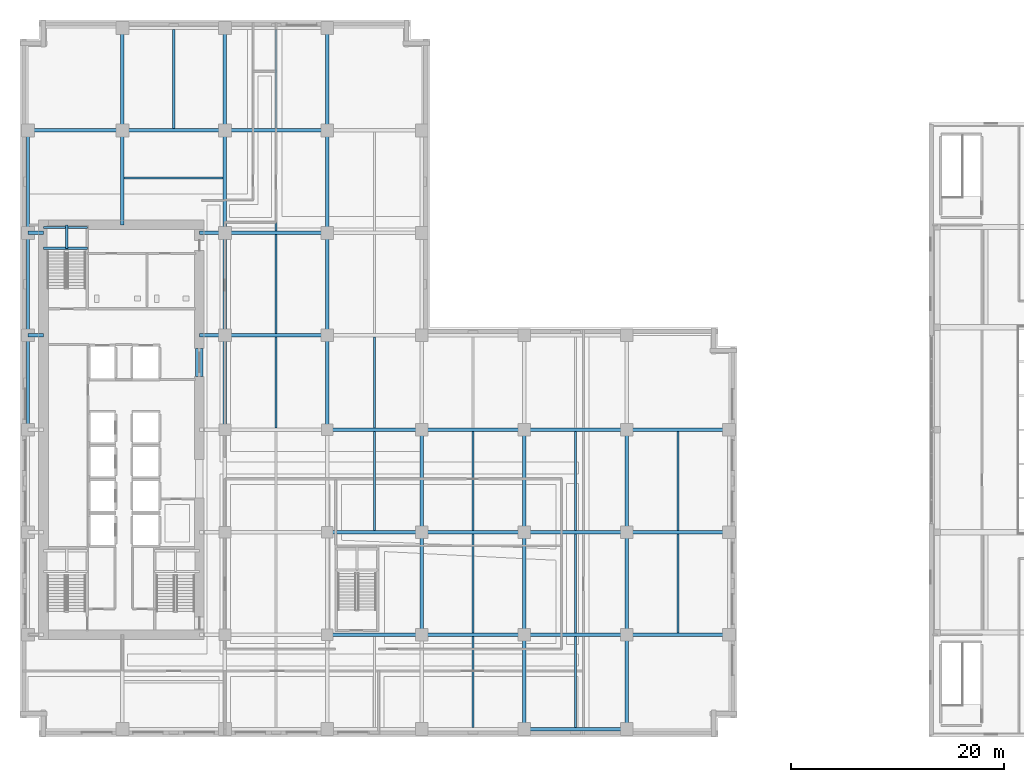
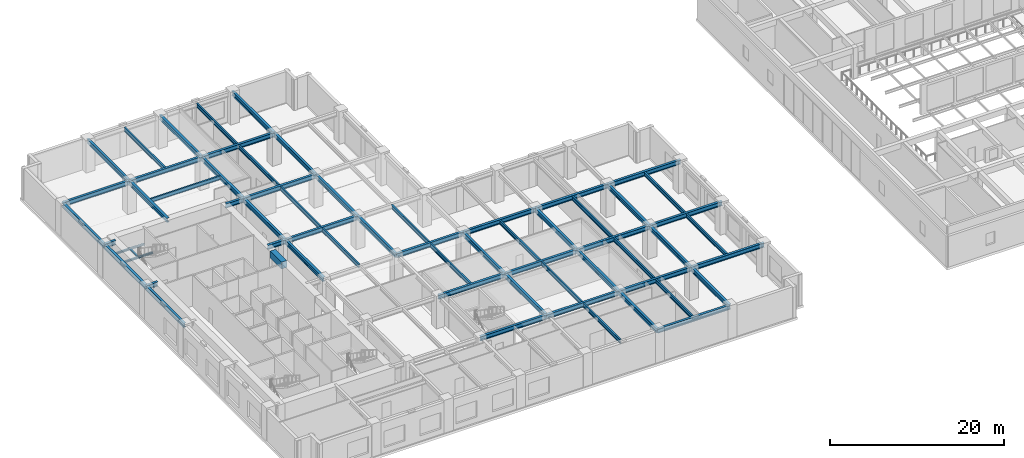
# One storey, part 2 of 21: 63 beams.
"""IFC4 building model written with IfcOpenShell, lengths in metres."""

from ifc_helpers import new_model, si_unit, direction, frame, origin, origin_2d, place, context, subcontext, project, spatial, rectangle, i_section, extrude, material, material_profile, profile_set, type_object, element, save


model = new_model("IFC4")

# Units and contexts
model_context = context("Model", 3, precision=1e-05, world=origin(), true_north=direction((0.0, 1.0)))
body_context = subcontext(model_context, "Body", "Model", "MODEL_VIEW")
ifc_project = project(units=[si_unit("LENGTHUNIT", "METRE"), si_unit("AREAUNIT", "SQUARE_METRE"), si_unit("VOLUMEUNIT", "CUBIC_METRE"), si_unit("PLANEANGLEUNIT", "RADIAN"), si_unit("MASSUNIT", "GRAM", prefix="KILO")], contexts=[model_context])

# Site, building, storey
site_placement = place(None, origin())
site = spatial("IfcSite", under=ifc_project, at=site_placement, CompositionType="ELEMENT")
building_placement = place(site_placement, origin())
building = spatial("IfcBuilding", under=site, at=building_placement, Name="Norrvale University Quadrangle", CompositionType="ELEMENT")
storey_placement = place(building_placement, frame((0.0, 0.0, 19.60009765625)))
storey = spatial("IfcBuildingStorey", under=building, at=storey_placement, Name="L04", CompositionType="ELEMENT", Elevation=19.60009765625)

# Beams
ifc_material_1 = material(Name="Steel 350W", Category="steel")
ifc_material_profile_1 = material_profile(ifc_material_1, i_section(OverallWidth=0.324951171875, OverallDepth=0.615966796875, WebThickness=0.013916015625, FlangeThickness=0.021484375, FilletRadius=0.01611328125, at=origin_2d()), Name="Steel 350W")
ifc_profile_set_1 = profile_set([ifc_material_profile_1], Name="Steel 350W")
beam_type_1 = type_object("IfcBeamType", Name="Beam Belt W610x174", PredefinedType="BEAM", material=ifc_profile_set_1)
beam_1_placement = place(storey_placement, frame((47.25, 0.75, 4.031982421875), z_axis=(1.0, 0.0, 0.0), x_axis=(0.0, 1.0, 0.0)))
element("IfcBeam", 1, at=beam_1_placement, inside=storey, type_object=beam_type_1, Name="Beam Belt W610x174 BM-L04-GX005", PredefinedType="BEAM", context=body_context, shape_type="SweptSolid", body=[
    extrude(i_section(OverallWidth=0.324951171875, OverallDepth=0.615966796875, WebThickness=0.013916015625, FlangeThickness=0.021484375, FilletRadius=0.01611328125, at=origin_2d()), origin(), (0.0, 0.0, 1.0), 9.60009765625),
])
beam_2_placement = place(storey_placement, frame((28.800048828125, 9.60009765625, 4.031982421875), z_axis=(1.0, 0.0, 0.0), x_axis=(0.0, 1.0, 0.0)))
element("IfcBeam", 2, at=beam_2_placement, inside=storey, type_object=beam_type_1, Name="Beam Belt W610x174 BM-L04-GX007", PredefinedType="BEAM", context=body_context, shape_type="SweptSolid", body=[
    extrude(i_section(OverallWidth=0.324951171875, OverallDepth=0.615966796875, WebThickness=0.013916015625, FlangeThickness=0.021484375, FilletRadius=0.01611328125, at=origin_2d()), origin(), (0.0, 0.0, 1.0), 8.849853515625),
])
for number, where, z_axis, x_axis, name in (
    (3, (37.64990234375, 9.60009765625, 4.031982421875), (1.0, 0.0, 0.0), (0.0, 1.0, 0.0), "Beam Belt W610x174 BM-L04-GX008"),
    (4, (47.25, 9.60009765625, 4.031982421875), (1.0, 0.0, 0.0), (0.0, 1.0, 0.0), "Beam Belt W610x174 BM-L04-GX009"),
):
    element("IfcBeam", number, at=place(storey_placement, frame(where, z_axis=z_axis, x_axis=x_axis)), inside=storey, type_object=beam_type_1, Name=name, PredefinedType="BEAM", context=body_context, shape_type="SweptSolid", body=[
        extrude(i_section(OverallWidth=0.324951171875, OverallDepth=0.615966796875, WebThickness=0.013916015625, FlangeThickness=0.021484375, FilletRadius=0.01611328125, at=origin_2d()), origin(), (0.0, 0.0, 1.0), 9.60009765625),
    ])
beam_3_placement = place(storey_placement, frame((56.85009765625, 9.60009765625, 4.031982421875), z_axis=(1.0, 0.0, 0.0), x_axis=(0.0, 1.0, 0.0)))
element("IfcBeam", 5, at=beam_3_placement, inside=storey, type_object=beam_type_1, Name="Beam Belt W610x174 BM-L04-GX010", PredefinedType="BEAM", context=body_context, shape_type="SweptSolid", body=[
    extrude(i_section(OverallWidth=0.324951171875, OverallDepth=0.615966796875, WebThickness=0.013916015625, FlangeThickness=0.021484375, FilletRadius=0.01611328125, at=origin_2d()), origin(), (0.0, 0.0, 1.0), 9.599853515625),
])
beam_4_placement = place(storey_placement, frame((28.800048828125, 19.199951171875, 4.031982421875), z_axis=(1.0, 0.0, 0.0), x_axis=(0.0, 1.0, 0.0)))
element("IfcBeam", 6, at=beam_4_placement, inside=storey, type_object=beam_type_1, Name="Beam Belt W610x174 BM-L04-GX012", PredefinedType="BEAM", context=body_context, shape_type="SweptSolid", body=[
    extrude(i_section(OverallWidth=0.324951171875, OverallDepth=0.615966796875, WebThickness=0.013916015625, FlangeThickness=0.021484375, FilletRadius=0.01611328125, at=origin_2d()), origin(), (0.0, 0.0, 1.0), 8.849853515625),
])
for number, where, z_axis, x_axis, name in (
    (7, (37.64990234375, 19.199951171875, 4.031982421875), (1.0, 0.0, 0.0), (0.0, 1.0, 0.0), "Beam Belt W610x174 BM-L04-GX013"),
    (8, (47.25, 19.199951171875, 4.031982421875), (1.0, 0.0, 0.0), (0.0, 1.0, 0.0), "Beam Belt W610x174 BM-L04-GX014"),
):
    element("IfcBeam", number, at=place(storey_placement, frame(where, z_axis=z_axis, x_axis=x_axis)), inside=storey, type_object=beam_type_1, Name=name, PredefinedType="BEAM", context=body_context, shape_type="SweptSolid", body=[
        extrude(i_section(OverallWidth=0.324951171875, OverallDepth=0.615966796875, WebThickness=0.013916015625, FlangeThickness=0.021484375, FilletRadius=0.01611328125, at=origin_2d()), origin(), (0.0, 0.0, 1.0), 9.60009765625),
    ])
beam_5_placement = place(storey_placement, frame((56.85009765625, 19.199951171875, 4.031982421875), z_axis=(1.0, 0.0, 0.0), x_axis=(0.0, 1.0, 0.0)))
element("IfcBeam", 9, at=beam_5_placement, inside=storey, type_object=beam_type_1, Name="Beam Belt W610x174 BM-L04-GX015", PredefinedType="BEAM", context=body_context, shape_type="SweptSolid", body=[
    extrude(i_section(OverallWidth=0.324951171875, OverallDepth=0.615966796875, WebThickness=0.013916015625, FlangeThickness=0.021484375, FilletRadius=0.01611328125, at=origin_2d()), origin(), (0.0, 0.0, 1.0), 9.599853515625),
])
beam_6_placement = place(storey_placement, frame((28.800048828125, 28.800048828125, 4.031982421875), z_axis=(1.0, 0.0, 0.0), x_axis=(0.0, 1.0, 0.0)))
element("IfcBeam", 10, at=beam_6_placement, inside=storey, type_object=beam_type_1, Name="Beam Belt W610x174 BM-L04-GX017", PredefinedType="BEAM", context=body_context, shape_type="SweptSolid", body=[
    extrude(i_section(OverallWidth=0.324951171875, OverallDepth=0.615966796875, WebThickness=0.013916015625, FlangeThickness=0.021484375, FilletRadius=0.01611328125, at=origin_2d()), origin(), (0.0, 0.0, 1.0), 8.849853515625),
])
for number, where, z_axis, x_axis, name in (
    (11, (37.64990234375, 28.800048828125, 4.031982421875), (1.0, 0.0, 0.0), (0.0, 1.0, 0.0), "Beam Belt W610x174 BM-L04-GX018"),
    (12, (47.25, 28.800048828125, 4.031982421875), (1.0, 0.0, 0.0), (0.0, 1.0, 0.0), "Beam Belt W610x174 BM-L04-GX019"),
):
    element("IfcBeam", number, at=place(storey_placement, frame(where, z_axis=z_axis, x_axis=x_axis)), inside=storey, type_object=beam_type_1, Name=name, PredefinedType="BEAM", context=body_context, shape_type="SweptSolid", body=[
        extrude(i_section(OverallWidth=0.324951171875, OverallDepth=0.615966796875, WebThickness=0.013916015625, FlangeThickness=0.021484375, FilletRadius=0.01611328125, at=origin_2d()), origin(), (0.0, 0.0, 1.0), 9.60009765625),
    ])
beam_7_placement = place(storey_placement, frame((56.85009765625, 28.800048828125, 4.031982421875), z_axis=(1.0, 0.0, 0.0), x_axis=(0.0, 1.0, 0.0)))
element("IfcBeam", 13, at=beam_7_placement, inside=storey, type_object=beam_type_1, Name="Beam Belt W610x174 BM-L04-GX020", PredefinedType="BEAM", context=body_context, shape_type="SweptSolid", body=[
    extrude(i_section(OverallWidth=0.324951171875, OverallDepth=0.615966796875, WebThickness=0.013916015625, FlangeThickness=0.021484375, FilletRadius=0.01611328125, at=origin_2d()), origin(), (0.0, 0.0, 1.0), 9.599853515625),
])
for number, where, z_axis, x_axis, name in (
    (14, (19.199951171875, 37.64990234375, 4.031982421875), (1.0, 0.0, 0.0), (0.0, 1.0, 0.0), "Beam Belt W610x174 BM-L04-GX021"),
    (15, (19.199951171875, 47.25, 4.031982421875), (1.0, 0.0, 0.0), (0.0, 1.0, 0.0), "Beam Belt W610x174 BM-L04-GX025"),
):
    element("IfcBeam", number, at=place(storey_placement, frame(where, z_axis=z_axis, x_axis=x_axis)), inside=storey, type_object=beam_type_1, Name=name, PredefinedType="BEAM", context=body_context, shape_type="SweptSolid", body=[
        extrude(i_section(OverallWidth=0.324951171875, OverallDepth=0.615966796875, WebThickness=0.013916015625, FlangeThickness=0.021484375, FilletRadius=0.01611328125, at=origin_2d()), origin(), (0.0, 0.0, 1.0), 9.60009765625),
    ])
beam_8_placement = place(storey_placement, frame((0.75, 56.85009765625, 4.031982421875), z_axis=(1.0, 0.0, 0.0), x_axis=(0.0, 1.0, 0.0)))
element("IfcBeam", 16, at=beam_8_placement, inside=storey, type_object=beam_type_1, Name="Beam Belt W610x174 BM-L04-GX027", PredefinedType="BEAM", context=body_context, shape_type="SweptSolid", body=[
    extrude(i_section(OverallWidth=0.324951171875, OverallDepth=0.615966796875, WebThickness=0.013916015625, FlangeThickness=0.021484375, FilletRadius=0.01611328125, at=origin_2d()), origin(), (0.0, 0.0, 1.0), 8.85009765625),
])
beam_9_placement = place(storey_placement, frame((9.60009765625, 56.85009765625, 4.031982421875), z_axis=(1.0, 0.0, 0.0), x_axis=(0.0, 1.0, 0.0)))
element("IfcBeam", 17, at=beam_9_placement, inside=storey, type_object=beam_type_1, Name="Beam Belt W610x174 BM-L04-GX028", PredefinedType="BEAM", context=body_context, shape_type="SweptSolid", body=[
    extrude(i_section(OverallWidth=0.324951171875, OverallDepth=0.615966796875, WebThickness=0.013916015625, FlangeThickness=0.021484375, FilletRadius=0.01611328125, at=origin_2d()), origin(), (0.0, 0.0, 1.0), 9.599853515625),
])
beam_10_placement = place(storey_placement, frame((19.199951171875, 56.85009765625, 4.031982421875), z_axis=(1.0, 0.0, 0.0), x_axis=(0.0, 1.0, 0.0)))
element("IfcBeam", 18, at=beam_10_placement, inside=storey, type_object=beam_type_1, Name="Beam Belt W610x174 BM-L04-GX029", PredefinedType="BEAM", context=body_context, shape_type="SweptSolid", body=[
    extrude(i_section(OverallWidth=0.324951171875, OverallDepth=0.615966796875, WebThickness=0.013916015625, FlangeThickness=0.021484375, FilletRadius=0.01611328125, at=origin_2d()), origin(), (0.0, 0.0, 1.0), 9.60009765625),
])
beam_11_placement = place(storey_placement, frame((0.75, 28.800048828125, 4.031982421875), z_axis=(0.0, 1.0, 0.0), x_axis=(-1.0, 0.0, 0.0)))
element("IfcBeam", 19, at=beam_11_placement, inside=storey, type_object=beam_type_1, Name="Beam Belt W610x174 BM-L04-GY035", PredefinedType="BEAM", context=body_context, shape_type="SweptSolid", body=[
    extrude(i_section(OverallWidth=0.324951171875, OverallDepth=0.615966796875, WebThickness=0.013916015625, FlangeThickness=0.021484375, FilletRadius=0.01611328125, at=origin_2d()), origin(), (0.0, 0.0, 1.0), 8.849853515625),
])
for number, where, z_axis, x_axis, name in (
    (20, (0.75, 37.64990234375, 4.031982421875), (0.0, 1.0, 0.0), (-1.0, 0.0, 0.0), "Beam Belt W610x174 BM-L04-GY036"),
    (21, (0.75, 47.25, 4.031982421875), (0.0, 1.0, 0.0), (-1.0, 0.0, 0.0), "Beam Belt W610x174 BM-L04-GY037"),
):
    element("IfcBeam", number, at=place(storey_placement, frame(where, z_axis=z_axis, x_axis=x_axis)), inside=storey, type_object=beam_type_1, Name=name, PredefinedType="BEAM", context=body_context, shape_type="SweptSolid", body=[
        extrude(i_section(OverallWidth=0.324951171875, OverallDepth=0.615966796875, WebThickness=0.013916015625, FlangeThickness=0.021484375, FilletRadius=0.01611328125, at=origin_2d()), origin(), (0.0, 0.0, 1.0), 9.60009765625),
    ])
beam_12_placement = place(storey_placement, frame((9.60009765625, 56.85009765625, 4.031982421875), z_axis=(0.0, 1.0, 0.0), x_axis=(-1.0, 0.0, 0.0)))
element("IfcBeam", 22, at=beam_12_placement, inside=storey, type_object=beam_type_1, Name="Beam Belt W610x174 BM-L04-GY038", PredefinedType="BEAM", context=body_context, shape_type="SweptSolid", body=[
    extrude(i_section(OverallWidth=0.324951171875, OverallDepth=0.615966796875, WebThickness=0.013916015625, FlangeThickness=0.021484375, FilletRadius=0.01611328125, at=origin_2d()), origin(), (0.0, 0.0, 1.0), 9.599853515625),
])
beam_13_placement = place(storey_placement, frame((19.199951171875, 28.800048828125, 4.031982421875), z_axis=(0.0, 1.0, 0.0), x_axis=(-1.0, 0.0, 0.0)))
element("IfcBeam", 23, at=beam_13_placement, inside=storey, type_object=beam_type_1, Name="Beam Belt W610x174 BM-L04-GY042", PredefinedType="BEAM", context=body_context, shape_type="SweptSolid", body=[
    extrude(i_section(OverallWidth=0.324951171875, OverallDepth=0.615966796875, WebThickness=0.013916015625, FlangeThickness=0.021484375, FilletRadius=0.01611328125, at=origin_2d()), origin(), (0.0, 0.0, 1.0), 8.849853515625),
])
for number, where, z_axis, x_axis, name in (
    (24, (19.199951171875, 37.64990234375, 4.031982421875), (0.0, 1.0, 0.0), (-1.0, 0.0, 0.0), "Beam Belt W610x174 BM-L04-GY043"),
    (25, (19.199951171875, 47.25, 4.031982421875), (0.0, 1.0, 0.0), (-1.0, 0.0, 0.0), "Beam Belt W610x174 BM-L04-GY044"),
):
    element("IfcBeam", number, at=place(storey_placement, frame(where, z_axis=z_axis, x_axis=x_axis)), inside=storey, type_object=beam_type_1, Name=name, PredefinedType="BEAM", context=body_context, shape_type="SweptSolid", body=[
        extrude(i_section(OverallWidth=0.324951171875, OverallDepth=0.615966796875, WebThickness=0.013916015625, FlangeThickness=0.021484375, FilletRadius=0.01611328125, at=origin_2d()), origin(), (0.0, 0.0, 1.0), 9.60009765625),
    ])
beam_14_placement = place(storey_placement, frame((19.199951171875, 56.85009765625, 4.031982421875), z_axis=(0.0, 1.0, 0.0), x_axis=(-1.0, 0.0, 0.0)))
element("IfcBeam", 26, at=beam_14_placement, inside=storey, type_object=beam_type_1, Name="Beam Belt W610x174 BM-L04-GY045", PredefinedType="BEAM", context=body_context, shape_type="SweptSolid", body=[
    extrude(i_section(OverallWidth=0.324951171875, OverallDepth=0.615966796875, WebThickness=0.013916015625, FlangeThickness=0.021484375, FilletRadius=0.01611328125, at=origin_2d()), origin(), (0.0, 0.0, 1.0), 9.599853515625),
])
beam_15_placement = place(storey_placement, frame((28.800048828125, 28.800048828125, 4.031982421875), z_axis=(0.0, 1.0, 0.0), x_axis=(-1.0, 0.0, 0.0)))
element("IfcBeam", 27, at=beam_15_placement, inside=storey, type_object=beam_type_1, Name="Beam Belt W610x174 BM-L04-GY049", PredefinedType="BEAM", context=body_context, shape_type="SweptSolid", body=[
    extrude(i_section(OverallWidth=0.324951171875, OverallDepth=0.615966796875, WebThickness=0.013916015625, FlangeThickness=0.021484375, FilletRadius=0.01611328125, at=origin_2d()), origin(), (0.0, 0.0, 1.0), 8.849853515625),
])
for number, where, z_axis, x_axis, name in (
    (28, (28.800048828125, 37.64990234375, 4.031982421875), (0.0, 1.0, 0.0), (-1.0, 0.0, 0.0), "Beam Belt W610x174 BM-L04-GY050"),
    (29, (28.800048828125, 47.25, 4.031982421875), (0.0, 1.0, 0.0), (-1.0, 0.0, 0.0), "Beam Belt W610x174 BM-L04-GY051"),
):
    element("IfcBeam", number, at=place(storey_placement, frame(where, z_axis=z_axis, x_axis=x_axis)), inside=storey, type_object=beam_type_1, Name=name, PredefinedType="BEAM", context=body_context, shape_type="SweptSolid", body=[
        extrude(i_section(OverallWidth=0.324951171875, OverallDepth=0.615966796875, WebThickness=0.013916015625, FlangeThickness=0.021484375, FilletRadius=0.01611328125, at=origin_2d()), origin(), (0.0, 0.0, 1.0), 9.60009765625),
    ])
for number, where, z_axis, x_axis, name in (
    (30, (28.800048828125, 56.85009765625, 4.031982421875), (0.0, 1.0, 0.0), (-1.0, 0.0, 0.0), "Beam Belt W610x174 BM-L04-GY052"),
    (31, (37.64990234375, 9.60009765625, 4.031982421875), (0.0, 1.0, 0.0), (-1.0, 0.0, 0.0), "Beam Belt W610x174 BM-L04-GY054"),
):
    element("IfcBeam", number, at=place(storey_placement, frame(where, z_axis=z_axis, x_axis=x_axis)), inside=storey, type_object=beam_type_1, Name=name, PredefinedType="BEAM", context=body_context, shape_type="SweptSolid", body=[
        extrude(i_section(OverallWidth=0.324951171875, OverallDepth=0.615966796875, WebThickness=0.013916015625, FlangeThickness=0.021484375, FilletRadius=0.01611328125, at=origin_2d()), origin(), (0.0, 0.0, 1.0), 9.599853515625),
    ])
beam_16_placement = place(storey_placement, frame((37.64990234375, 19.199951171875, 4.031982421875), z_axis=(0.0, 1.0, 0.0), x_axis=(-1.0, 0.0, 0.0)))
element("IfcBeam", 32, at=beam_16_placement, inside=storey, type_object=beam_type_1, Name="Beam Belt W610x174 BM-L04-GY055", PredefinedType="BEAM", context=body_context, shape_type="SweptSolid", body=[
    extrude(i_section(OverallWidth=0.324951171875, OverallDepth=0.615966796875, WebThickness=0.013916015625, FlangeThickness=0.021484375, FilletRadius=0.01611328125, at=origin_2d()), origin(), (0.0, 0.0, 1.0), 9.60009765625),
])
beam_17_placement = place(storey_placement, frame((47.25, 0.75, 4.031982421875), z_axis=(0.0, 1.0, 0.0), x_axis=(-1.0, 0.0, 0.0)))
element("IfcBeam", 33, at=beam_17_placement, inside=storey, type_object=beam_type_1, Name="Beam Belt W610x174 BM-L04-GY059", PredefinedType="BEAM", context=body_context, shape_type="SweptSolid", body=[
    extrude(i_section(OverallWidth=0.324951171875, OverallDepth=0.615966796875, WebThickness=0.013916015625, FlangeThickness=0.021484375, FilletRadius=0.01611328125, at=origin_2d()), origin(), (0.0, 0.0, 1.0), 8.85009765625),
])
beam_18_placement = place(storey_placement, frame((47.25, 9.60009765625, 4.031982421875), z_axis=(0.0, 1.0, 0.0), x_axis=(-1.0, 0.0, 0.0)))
element("IfcBeam", 34, at=beam_18_placement, inside=storey, type_object=beam_type_1, Name="Beam Belt W610x174 BM-L04-GY060", PredefinedType="BEAM", context=body_context, shape_type="SweptSolid", body=[
    extrude(i_section(OverallWidth=0.324951171875, OverallDepth=0.615966796875, WebThickness=0.013916015625, FlangeThickness=0.021484375, FilletRadius=0.01611328125, at=origin_2d()), origin(), (0.0, 0.0, 1.0), 9.599853515625),
])
beam_19_placement = place(storey_placement, frame((47.25, 19.199951171875, 4.031982421875), z_axis=(0.0, 1.0, 0.0), x_axis=(-1.0, 0.0, 0.0)))
element("IfcBeam", 35, at=beam_19_placement, inside=storey, type_object=beam_type_1, Name="Beam Belt W610x174 BM-L04-GY061", PredefinedType="BEAM", context=body_context, shape_type="SweptSolid", body=[
    extrude(i_section(OverallWidth=0.324951171875, OverallDepth=0.615966796875, WebThickness=0.013916015625, FlangeThickness=0.021484375, FilletRadius=0.01611328125, at=origin_2d()), origin(), (0.0, 0.0, 1.0), 9.60009765625),
])
beam_20_placement = place(storey_placement, frame((56.85009765625, 0.75, 4.031982421875), z_axis=(0.0, 1.0, 0.0), x_axis=(-1.0, 0.0, 0.0)))
element("IfcBeam", 36, at=beam_20_placement, inside=storey, type_object=beam_type_1, Name="Beam Belt W610x174 BM-L04-GY063", PredefinedType="BEAM", context=body_context, shape_type="SweptSolid", body=[
    extrude(i_section(OverallWidth=0.324951171875, OverallDepth=0.615966796875, WebThickness=0.013916015625, FlangeThickness=0.021484375, FilletRadius=0.01611328125, at=origin_2d()), origin(), (0.0, 0.0, 1.0), 8.85009765625),
])
beam_21_placement = place(storey_placement, frame((56.85009765625, 9.60009765625, 4.031982421875), z_axis=(0.0, 1.0, 0.0), x_axis=(-1.0, 0.0, 0.0)))
element("IfcBeam", 37, at=beam_21_placement, inside=storey, type_object=beam_type_1, Name="Beam Belt W610x174 BM-L04-GY064", PredefinedType="BEAM", context=body_context, shape_type="SweptSolid", body=[
    extrude(i_section(OverallWidth=0.324951171875, OverallDepth=0.615966796875, WebThickness=0.013916015625, FlangeThickness=0.021484375, FilletRadius=0.01611328125, at=origin_2d()), origin(), (0.0, 0.0, 1.0), 9.599853515625),
])
beam_22_placement = place(storey_placement, frame((56.85009765625, 19.199951171875, 4.031982421875), z_axis=(0.0, 1.0, 0.0), x_axis=(-1.0, 0.0, 0.0)))
element("IfcBeam", 38, at=beam_22_placement, inside=storey, type_object=beam_type_1, Name="Beam Belt W610x174 BM-L04-GY065", PredefinedType="BEAM", context=body_context, shape_type="SweptSolid", body=[
    extrude(i_section(OverallWidth=0.324951171875, OverallDepth=0.615966796875, WebThickness=0.013916015625, FlangeThickness=0.021484375, FilletRadius=0.01611328125, at=origin_2d()), origin(), (0.0, 0.0, 1.0), 9.60009765625),
])
beam_23_placement = place(storey_placement, frame((0.75, 37.64990234375, 4.031982421875), z_axis=(1.0, 0.0, 0.0), x_axis=(0.0, 1.0, 0.0)))
element("IfcBeam", 39, at=beam_23_placement, inside=storey, type_object=beam_type_1, Name="Beam Belt W610x174 BM-L04-GCW075", PredefinedType="BEAM", context=body_context, shape_type="SweptSolid", body=[
    extrude(i_section(OverallWidth=0.324951171875, OverallDepth=0.615966796875, WebThickness=0.013916015625, FlangeThickness=0.021484375, FilletRadius=0.01611328125, at=origin_2d()), origin(), (0.0, 0.0, 1.0), 1.449951171875),
])
beam_24_placement = place(storey_placement, frame((16.800048828125, 37.64990234375, 4.031982421875), z_axis=(1.0, 0.0, 0.0), x_axis=(0.0, 1.0, 0.0)))
element("IfcBeam", 40, at=beam_24_placement, inside=storey, type_object=beam_type_1, Name="Beam Belt W610x174 BM-L04-GCE076", PredefinedType="BEAM", context=body_context, shape_type="SweptSolid", body=[
    extrude(i_section(OverallWidth=0.324951171875, OverallDepth=0.615966796875, WebThickness=0.013916015625, FlangeThickness=0.021484375, FilletRadius=0.01611328125, at=origin_2d()), origin(), (0.0, 0.0, 1.0), 2.39990234375),
])
beam_25_placement = place(storey_placement, frame((0.75, 47.25, 4.031982421875), z_axis=(1.0, 0.0, 0.0), x_axis=(0.0, 1.0, 0.0)))
element("IfcBeam", 41, at=beam_25_placement, inside=storey, type_object=beam_type_1, Name="Beam Belt W610x174 BM-L04-GCW077", PredefinedType="BEAM", context=body_context, shape_type="SweptSolid", body=[
    extrude(i_section(OverallWidth=0.324951171875, OverallDepth=0.615966796875, WebThickness=0.013916015625, FlangeThickness=0.021484375, FilletRadius=0.01611328125, at=origin_2d()), origin(), (0.0, 0.0, 1.0), 1.449951171875),
])
beam_26_placement = place(storey_placement, frame((16.800048828125, 47.25, 4.031982421875), z_axis=(1.0, 0.0, 0.0), x_axis=(0.0, 1.0, 0.0)))
element("IfcBeam", 42, at=beam_26_placement, inside=storey, type_object=beam_type_1, Name="Beam Belt W610x174 BM-L04-GCE078", PredefinedType="BEAM", context=body_context, shape_type="SweptSolid", body=[
    extrude(i_section(OverallWidth=0.324951171875, OverallDepth=0.615966796875, WebThickness=0.013916015625, FlangeThickness=0.021484375, FilletRadius=0.01611328125, at=origin_2d()), origin(), (0.0, 0.0, 1.0), 2.39990234375),
])
beam_27_placement = place(storey_placement, frame((9.60009765625, 48.0, 4.031982421875), z_axis=(0.0, 1.0, 0.0), x_axis=(-1.0, 0.0, 0.0)))
element("IfcBeam", 43, at=beam_27_placement, inside=storey, type_object=beam_type_1, Name="Beam Belt W610x174 BM-L04-GCN104", PredefinedType="BEAM", context=body_context, shape_type="SweptSolid", body=[
    extrude(i_section(OverallWidth=0.324951171875, OverallDepth=0.615966796875, WebThickness=0.013916015625, FlangeThickness=0.021484375, FilletRadius=0.01611328125, at=origin_2d()), origin(), (0.0, 0.0, 1.0), 8.85009765625),
])
ifc_material_2 = material(Name="Concrete C80/95", Category="concrete")
ifc_material_profile_2 = material_profile(ifc_material_2, rectangle(XDim=0.699951171875, YDim=0.949951171875, at=origin_2d()), Name="Concrete C80/95")
ifc_profile_set_2 = profile_set([ifc_material_profile_2], Name="Concrete C80/95")
beam_type_2 = type_object("IfcBeamType", Name="Beam Core Link 700x950", PredefinedType="LINTEL", material=ifc_profile_set_2)
beam_28_placement = place(storey_placement, frame((16.800048828125, 33.800048828125, 3.864990234375), z_axis=(0.0, 1.0, 0.0), x_axis=(-1.0, 0.0, 0.0)))
element("IfcBeam", 44, at=beam_28_placement, inside=storey, type_object=beam_type_2, Name="Core Coupling Lintel Beam L04-2", PredefinedType="LINTEL", context=body_context, shape_type="SweptSolid", body=[
    extrude(rectangle(XDim=0.699951171875, YDim=0.949951171875, at=origin_2d()), origin(), (0.0, 0.0, 1.0), 2.599853515625),
])
ifc_material_profile_3 = material_profile(ifc_material_1, i_section(OverallWidth=0.2119140625, OverallDepth=0.5439453125, WebThickness=0.01318359375, FlangeThickness=0.021240234375, FilletRadius=0.013916015625, at=origin_2d()), Name="Steel 350W")
ifc_profile_set_3 = profile_set([ifc_material_profile_3], Name="Steel 350W")
beam_type_3 = type_object("IfcBeamType", Name="Beam Floor W530x123", PredefinedType="BEAM", material=ifc_profile_set_3)
beam_29_placement = place(storey_placement, frame((14.39990234375, 57.012451171875, 4.06787109375), z_axis=(0.0, 1.0, 0.0), x_axis=(-1.0, 0.0, 0.0)))
element("IfcBeam", 45, at=beam_29_placement, inside=storey, type_object=beam_type_3, Name="Beam Floor W530x123 BM-L04-J079", PredefinedType="BEAM", context=body_context, shape_type="SweptSolid", body=[
    extrude(i_section(OverallWidth=0.2119140625, OverallDepth=0.5439453125, WebThickness=0.01318359375, FlangeThickness=0.021240234375, FilletRadius=0.013916015625, at=origin_2d()), origin(), (0.0, 0.0, 1.0), 9.275146484375),
])
beam_30_placement = place(storey_placement, frame((24.0, 28.96240234375, 4.06787109375), z_axis=(0.0, 1.0, 0.0), x_axis=(-1.0, 0.0, 0.0)))
element("IfcBeam", 46, at=beam_30_placement, inside=storey, type_object=beam_type_3, Name="Beam Floor W530x123 BM-L04-J083", PredefinedType="BEAM", context=body_context, shape_type="SweptSolid", body=[
    extrude(i_section(OverallWidth=0.2119140625, OverallDepth=0.5439453125, WebThickness=0.01318359375, FlangeThickness=0.021240234375, FilletRadius=0.013916015625, at=origin_2d()), origin(), (0.0, 0.0, 1.0), 8.525146484375),
])
for number, where, z_axis, x_axis, name in (
    (47, (24.0, 37.8125, 4.06787109375), (0.0, 1.0, 0.0), (-1.0, 0.0, 0.0), "Beam Floor W530x123 BM-L04-J084"),
    (48, (24.0, 47.41259765625, 4.06787109375), (0.0, 1.0, 0.0), (-1.0, 0.0, 0.0), "Beam Floor W530x123 BM-L04-J085"),
):
    element("IfcBeam", number, at=place(storey_placement, frame(where, z_axis=z_axis, x_axis=x_axis)), inside=storey, type_object=beam_type_3, Name=name, PredefinedType="BEAM", context=body_context, shape_type="SweptSolid", body=[
        extrude(i_section(OverallWidth=0.2119140625, OverallDepth=0.5439453125, WebThickness=0.01318359375, FlangeThickness=0.021240234375, FilletRadius=0.013916015625, at=origin_2d()), origin(), (0.0, 0.0, 1.0), 9.27490234375),
    ])
beam_31_placement = place(storey_placement, frame((24.0, 57.012451171875, 4.06787109375), z_axis=(0.0, 1.0, 0.0), x_axis=(-1.0, 0.0, 0.0)))
element("IfcBeam", 49, at=beam_31_placement, inside=storey, type_object=beam_type_3, Name="Beam Floor W530x123 BM-L04-J086", PredefinedType="BEAM", context=body_context, shape_type="SweptSolid", body=[
    extrude(i_section(OverallWidth=0.2119140625, OverallDepth=0.5439453125, WebThickness=0.01318359375, FlangeThickness=0.021240234375, FilletRadius=0.013916015625, at=origin_2d()), origin(), (0.0, 0.0, 1.0), 9.275146484375),
])
beam_32_placement = place(storey_placement, frame((33.22509765625, 19.362548828125, 4.06787109375), z_axis=(0.0, 1.0, 0.0), x_axis=(-1.0, 0.0, 0.0)))
element("IfcBeam", 50, at=beam_32_placement, inside=storey, type_object=beam_type_3, Name="Beam Floor W530x123 BM-L04-J088", PredefinedType="BEAM", context=body_context, shape_type="SweptSolid", body=[
    extrude(i_section(OverallWidth=0.2119140625, OverallDepth=0.5439453125, WebThickness=0.01318359375, FlangeThickness=0.021240234375, FilletRadius=0.013916015625, at=origin_2d()), origin(), (0.0, 0.0, 1.0), 9.27490234375),
])
beam_33_placement = place(storey_placement, frame((33.22509765625, 28.96240234375, 4.06787109375), z_axis=(0.0, 1.0, 0.0), x_axis=(-1.0, 0.0, 0.0)))
element("IfcBeam", 51, at=beam_33_placement, inside=storey, type_object=beam_type_3, Name="Beam Floor W530x123 BM-L04-J089", PredefinedType="BEAM", context=body_context, shape_type="SweptSolid", body=[
    extrude(i_section(OverallWidth=0.2119140625, OverallDepth=0.5439453125, WebThickness=0.01318359375, FlangeThickness=0.021240234375, FilletRadius=0.013916015625, at=origin_2d()), origin(), (0.0, 0.0, 1.0), 8.525146484375),
])
beam_34_placement = place(storey_placement, frame((42.449951171875, 0.91259765625, 4.06787109375), z_axis=(0.0, 1.0, 0.0), x_axis=(-1.0, 0.0, 0.0)))
element("IfcBeam", 52, at=beam_34_placement, inside=storey, type_object=beam_type_3, Name="Beam Floor W530x123 BM-L04-J092", PredefinedType="BEAM", context=body_context, shape_type="SweptSolid", body=[
    extrude(i_section(OverallWidth=0.2119140625, OverallDepth=0.5439453125, WebThickness=0.01318359375, FlangeThickness=0.021240234375, FilletRadius=0.013916015625, at=origin_2d()), origin(), (0.0, 0.0, 1.0), 8.52490234375),
])
beam_35_placement = place(storey_placement, frame((42.449951171875, 9.762451171875, 4.06787109375), z_axis=(0.0, 1.0, 0.0), x_axis=(-1.0, 0.0, 0.0)))
element("IfcBeam", 53, at=beam_35_placement, inside=storey, type_object=beam_type_3, Name="Beam Floor W530x123 BM-L04-J093", PredefinedType="BEAM", context=body_context, shape_type="SweptSolid", body=[
    extrude(i_section(OverallWidth=0.2119140625, OverallDepth=0.5439453125, WebThickness=0.01318359375, FlangeThickness=0.021240234375, FilletRadius=0.013916015625, at=origin_2d()), origin(), (0.0, 0.0, 1.0), 9.275146484375),
])
beam_36_placement = place(storey_placement, frame((42.449951171875, 19.362548828125, 4.06787109375), z_axis=(0.0, 1.0, 0.0), x_axis=(-1.0, 0.0, 0.0)))
element("IfcBeam", 54, at=beam_36_placement, inside=storey, type_object=beam_type_3, Name="Beam Floor W530x123 BM-L04-J094", PredefinedType="BEAM", context=body_context, shape_type="SweptSolid", body=[
    extrude(i_section(OverallWidth=0.2119140625, OverallDepth=0.5439453125, WebThickness=0.01318359375, FlangeThickness=0.021240234375, FilletRadius=0.013916015625, at=origin_2d()), origin(), (0.0, 0.0, 1.0), 9.27490234375),
])
beam_37_placement = place(storey_placement, frame((52.050048828125, 0.91259765625, 4.06787109375), z_axis=(0.0, 1.0, 0.0), x_axis=(-1.0, 0.0, 0.0)))
element("IfcBeam", 55, at=beam_37_placement, inside=storey, type_object=beam_type_3, Name="Beam Floor W530x123 BM-L04-J096", PredefinedType="BEAM", context=body_context, shape_type="SweptSolid", body=[
    extrude(i_section(OverallWidth=0.2119140625, OverallDepth=0.5439453125, WebThickness=0.01318359375, FlangeThickness=0.021240234375, FilletRadius=0.013916015625, at=origin_2d()), origin(), (0.0, 0.0, 1.0), 8.52490234375),
])
beam_38_placement = place(storey_placement, frame((52.050048828125, 9.762451171875, 4.06787109375), z_axis=(0.0, 1.0, 0.0), x_axis=(-1.0, 0.0, 0.0)))
element("IfcBeam", 56, at=beam_38_placement, inside=storey, type_object=beam_type_3, Name="Beam Floor W530x123 BM-L04-J097", PredefinedType="BEAM", context=body_context, shape_type="SweptSolid", body=[
    extrude(i_section(OverallWidth=0.2119140625, OverallDepth=0.5439453125, WebThickness=0.01318359375, FlangeThickness=0.021240234375, FilletRadius=0.013916015625, at=origin_2d()), origin(), (0.0, 0.0, 1.0), 9.275146484375),
])
beam_39_placement = place(storey_placement, frame((52.050048828125, 19.362548828125, 4.06787109375), z_axis=(0.0, 1.0, 0.0), x_axis=(-1.0, 0.0, 0.0)))
element("IfcBeam", 57, at=beam_39_placement, inside=storey, type_object=beam_type_3, Name="Beam Floor W530x123 BM-L04-J098", PredefinedType="BEAM", context=body_context, shape_type="SweptSolid", body=[
    extrude(i_section(OverallWidth=0.2119140625, OverallDepth=0.5439453125, WebThickness=0.01318359375, FlangeThickness=0.021240234375, FilletRadius=0.013916015625, at=origin_2d()), origin(), (0.0, 0.0, 1.0), 9.27490234375),
])
beam_40_placement = place(storey_placement, frame((61.64990234375, 9.762451171875, 4.06787109375), z_axis=(0.0, 1.0, 0.0), x_axis=(-1.0, 0.0, 0.0)))
element("IfcBeam", 58, at=beam_40_placement, inside=storey, type_object=beam_type_3, Name="Beam Floor W530x123 BM-L04-J100", PredefinedType="BEAM", context=body_context, shape_type="SweptSolid", body=[
    extrude(i_section(OverallWidth=0.2119140625, OverallDepth=0.5439453125, WebThickness=0.01318359375, FlangeThickness=0.021240234375, FilletRadius=0.013916015625, at=origin_2d()), origin(), (0.0, 0.0, 1.0), 9.275146484375),
])
beam_41_placement = place(storey_placement, frame((61.64990234375, 19.362548828125, 4.06787109375), z_axis=(0.0, 1.0, 0.0), x_axis=(-1.0, 0.0, 0.0)))
element("IfcBeam", 59, at=beam_41_placement, inside=storey, type_object=beam_type_3, Name="Beam Floor W530x123 BM-L04-J101", PredefinedType="BEAM", context=body_context, shape_type="SweptSolid", body=[
    extrude(i_section(OverallWidth=0.2119140625, OverallDepth=0.5439453125, WebThickness=0.01318359375, FlangeThickness=0.021240234375, FilletRadius=0.013916015625, at=origin_2d()), origin(), (0.0, 0.0, 1.0), 9.27490234375),
])
beam_42_placement = place(storey_placement, frame((9.762451171875, 52.39990234375, 4.06787109375), z_axis=(1.0, 0.0, 0.0), x_axis=(0.0, 1.0, 0.0)))
element("IfcBeam", 60, at=beam_42_placement, inside=storey, type_object=beam_type_3, Name="Beam Floor W530x123 BM-L04-JCN105", PredefinedType="BEAM", context=body_context, shape_type="SweptSolid", body=[
    extrude(i_section(OverallWidth=0.2119140625, OverallDepth=0.5439453125, WebThickness=0.01318359375, FlangeThickness=0.021240234375, FilletRadius=0.013916015625, at=origin_2d()), origin(), (0.0, 0.0, 1.0), 9.275146484375),
])
ifc_material_profile_4 = material_profile(ifc_material_1, i_section(OverallWidth=0.201904296875, OverallDepth=0.2470703125, WebThickness=0.00732421875, FlangeThickness=0.010986328125, FilletRadius=0.011962890625, at=origin_2d()), Name="Steel 350W")
ifc_profile_set_4 = profile_set([ifc_material_profile_4], Name="Steel 350W")
beam_type_4 = type_object("IfcBeamType", Name="Beam Stair W250x49", PredefinedType="BEAM", material=ifc_profile_set_4)
for number, where, z_axis, x_axis, name in (
    (61, (2.199951171875, 45.81005859375, 1.976318359375), (1.0, 0.0, 0.0), (0.0, 1.0, 0.0), "Stair Mid-Landing Front Beam ST-02 L04"),
    (62, (2.199951171875, 47.77001953125, 1.976318359375), (1.0, 0.0, 0.0), (0.0, 1.0, 0.0), "Stair Mid-Landing Rear Beam ST-02 L04"),
):
    element("IfcBeam", number, at=place(storey_placement, frame(where, z_axis=z_axis, x_axis=x_axis)), inside=storey, type_object=beam_type_4, Name=name, PredefinedType="BEAM", context=body_context, shape_type="SweptSolid", body=[
        extrude(i_section(OverallWidth=0.201904296875, OverallDepth=0.2470703125, WebThickness=0.00732421875, FlangeThickness=0.010986328125, FilletRadius=0.011962890625, at=origin_2d()), origin(), (0.0, 0.0, 1.0), 4.14013671875),
    ])
ifc_material_profile_5 = material_profile(ifc_material_1, i_section(OverallWidth=0.202880859375, OverallDepth=0.202880859375, WebThickness=0.007080078125, FlangeThickness=0.010986328125, FilletRadius=0.010009765625, at=origin_2d()), Name="Steel 350W")
ifc_profile_set_5 = profile_set([ifc_material_profile_5], Name="Steel 350W")
beam_type_5 = type_object("IfcBeamType", Name="Beam Trim W200x46", PredefinedType="BEAM", material=ifc_profile_set_5)
beam_43_placement = place(storey_placement, frame((4.375, 45.81005859375, 1.998291015625), z_axis=(0.0, 1.0, 0.0), x_axis=(-1.0, 0.0, 0.0)))
element("IfcBeam", 63, at=beam_43_placement, inside=storey, type_object=beam_type_5, Name="Stair Mid-Landing Cross Beam ST-02 L04", PredefinedType="BEAM", context=body_context, shape_type="SweptSolid", body=[
    extrude(i_section(OverallWidth=0.202880859375, OverallDepth=0.202880859375, WebThickness=0.007080078125, FlangeThickness=0.010986328125, FilletRadius=0.010009765625, at=origin_2d()), origin(), (0.0, 0.0, 1.0), 2.18994140625),
])

save(model, "model.ifc")
